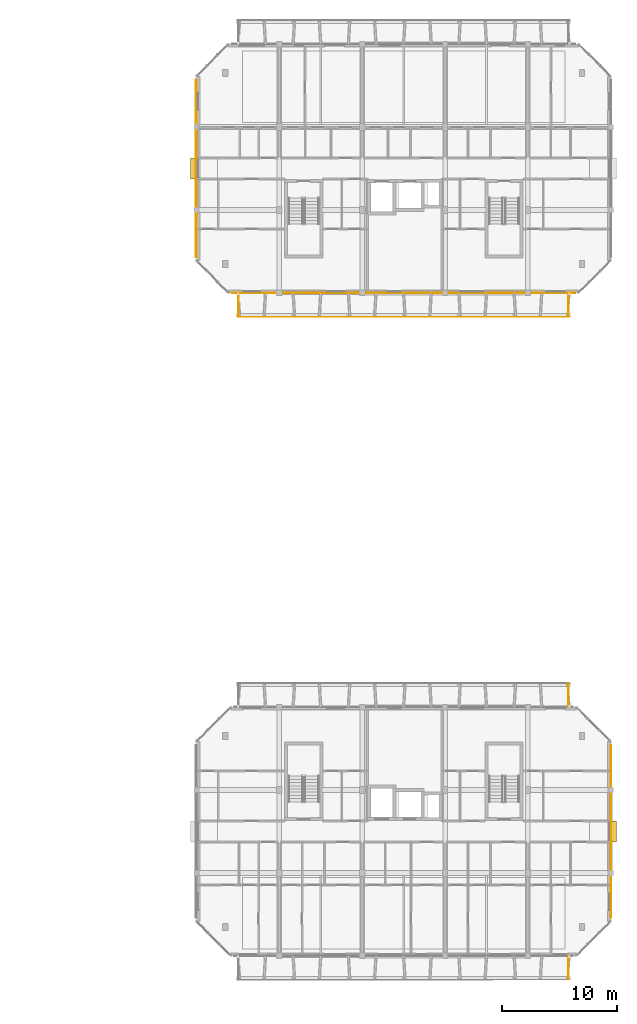
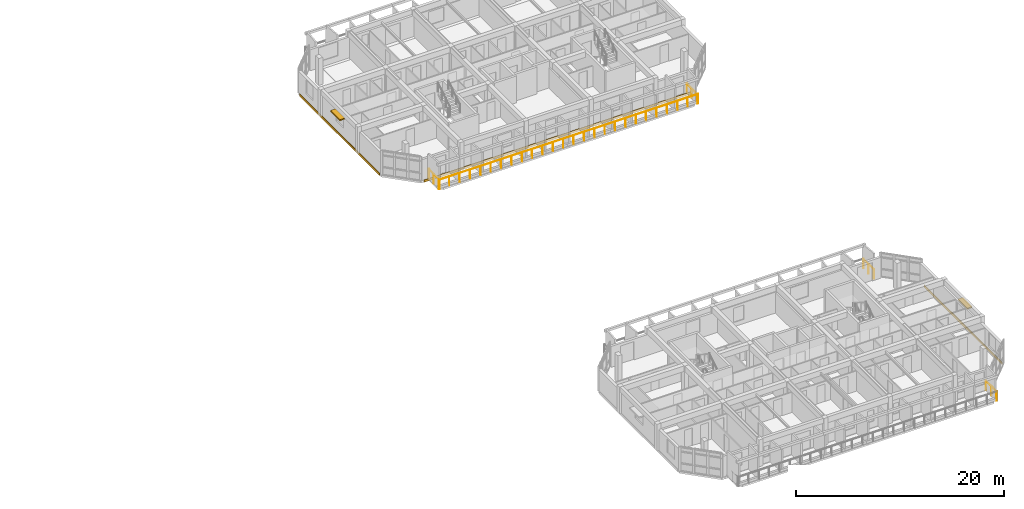
# One storey, part 29 of 31: 5 railings, 3 coverings, 2 shading devices.
"""IFC4 building model written with IfcOpenShell, lengths in metres."""

import ifcopenshell
import ifcopenshell.guid

model = None  # the IFC model being written
_history = None  # IfcOwnerHistory: only IFC2X3 demands one
_inside = {}  # id of a spatial element -> (the spatial element, [elements in it])
_under = {}  # id of a project, library or spatial element -> (it, [spatial elements below it])
_declared = {}  # id of a project -> (the project, [libraries it declares])
_typed = {}  # id of a type object -> (the type object, [elements of that type])
_made_of = {}  # id of a material, layer set ... -> (it, [elements and type objects made of it])


def new_model(schema):
    """Start an empty IFC model of exactly this schema.

    Asked for "IFC4X3", IfcOpenShell would pick the latest addendum, in which some entities
    have other attributes; the version numbers below select the first issue.
    IFC2X3 requires an IfcOwnerHistory on every rooted entity: one is made here for all.
    """
    global model, _history
    if schema == "IFC4X3":
        model = ifcopenshell.file(schema_version=(4, 3, 0, 0))
    else:
        model = ifcopenshell.file(schema=schema)
    _inside.clear()
    _under.clear()
    _declared.clear()
    _typed.clear()
    _made_of.clear()
    _history = None
    if model.schema == "IFC2X3":
        org = make("IfcOrganization", Name="unknown")
        user = make(
            "IfcPersonAndOrganization",
            ThePerson=make("IfcPerson", FamilyName="unknown"),
            TheOrganization=org,
        )
        app = make(
            "IfcApplication",
            ApplicationDeveloper=org,
            Version="unknown",
            ApplicationFullName="unknown",
            ApplicationIdentifier="unknown",
        )
        _history = make(
            "IfcOwnerHistory",
            OwningUser=user,
            OwningApplication=app,
            ChangeAction="ADDED",
            CreationDate=0,
        )
    return model


def make(cls, **values):
    """One entity of the class cls with the attributes given. An attribute that is None is left unset."""
    return model.create_entity(
        cls, **{name: value for name, value in values.items() if value is not None}
    )


def rooted(cls, **values):
    """An entity with a GlobalId (a new one), such as an element, a storey or a relation."""
    return make(cls, GlobalId=ifcopenshell.guid.new(), OwnerHistory=_history, **values)


def si_unit(unit_type, name, prefix=None):
    """IfcSIUnit, for example si_unit("LENGTHUNIT", "METRE", prefix="MILLI")."""
    return make("IfcSIUnit", UnitType=unit_type, Prefix=prefix, Name=name)


def assignment(units):
    """IfcUnitAssignment: the units of a project."""
    return None if units is None else make("IfcUnitAssignment", Units=units)


def point(xyz):
    """IfcCartesianPoint."""
    return None if xyz is None else make("IfcCartesianPoint", Coordinates=xyz)


def direction(xyz):
    """IfcDirection."""
    return None if xyz is None else make("IfcDirection", DirectionRatios=xyz)


def frame(location, z_axis=None, x_axis=None):
    """IfcAxis2Placement3D, a coordinate frame: its origin and axes. An axis left out is left unset."""
    return make(
        "IfcAxis2Placement3D",
        Location=point(location),
        Axis=direction(z_axis),
        RefDirection=direction(x_axis),
    )


def frame_2d(location, x_axis=None):
    """IfcAxis2Placement2D, a coordinate frame in the plane: its origin and x axis."""
    return make(
        "IfcAxis2Placement2D", Location=point(location), RefDirection=direction(x_axis)
    )


def origin():
    """The frame at (0, 0, 0) with its axes left unset."""
    return frame((0.0, 0.0, 0.0))


def origin_2d():
    """The frame at (0, 0) in the plane with its x axis left unset."""
    return frame_2d((0.0, 0.0))


def place(relative_to, where):
    """IfcLocalPlacement: puts the frame where relative to a parent placement (None: the world)."""
    return make(
        "IfcLocalPlacement", PlacementRelTo=relative_to, RelativePlacement=where
    )


def context(
    kind, dimensions, precision=None, world=None, true_north=None, identifier=None
):
    """IfcGeometricRepresentationContext, for example the 3D "Model" context."""
    return make(
        "IfcGeometricRepresentationContext",
        ContextIdentifier=identifier,
        ContextType=kind,
        CoordinateSpaceDimension=dimensions,
        Precision=precision,
        WorldCoordinateSystem=world,
        TrueNorth=true_north,
    )


def subcontext(parent, identifier, kind, view, scale=None):
    """IfcGeometricRepresentationSubContext, for example "Body" below "Model"."""
    return make(
        "IfcGeometricRepresentationSubContext",
        ContextIdentifier=identifier,
        ContextType=kind,
        ParentContext=parent,
        TargetScale=scale,
        TargetView=view,
    )


def project(units=None, contexts=None):
    """IfcProject with its units and contexts."""
    return rooted(
        "IfcProject",
        Name="project",
        RepresentationContexts=contexts,
        UnitsInContext=assignment(units),
    )


def spatial(cls, under=None, at=None, **own):
    """A site, building, storey or space (cls), placed at a placement, below another one or the project."""
    s = rooted(cls, ObjectPlacement=at, **own)
    if under is not None:
        _under.setdefault(under.id(), (under, []))[1].append(s)
    return s


def profile(cls, at=None, kind="AREA", **sizes):
    """A parametric profile (cls). Its sizes go by their IFC names, for example OverallWidth=200.0."""
    return make(cls, ProfileType=kind, Position=at, **sizes)


def rectangle(**sizes):
    """IfcRectangleProfileDef."""
    return profile("IfcRectangleProfileDef", **sizes)


def circle(**sizes):
    """IfcCircleProfileDef."""
    return profile("IfcCircleProfileDef", **sizes)


def extrude(swept, where, along, depth):
    """IfcExtrudedAreaSolid: the profile swept, set in the frame where, extruded along a direction by depth."""
    return make(
        "IfcExtrudedAreaSolid",
        SweptArea=swept,
        Position=where,
        ExtrudedDirection=direction(along),
        Depth=depth,
    )


def shape(context_of_items, identifier, shape_type, items):
    """IfcShapeRepresentation: the items that make up one representation, for example the "Body"."""
    return make(
        "IfcShapeRepresentation",
        ContextOfItems=context_of_items,
        RepresentationIdentifier=identifier,
        RepresentationType=shape_type,
        Items=items,
    )


def material(Name=None, Category=None):
    """IfcMaterial."""
    return make("IfcMaterial", Name=Name, Category=Category)


def layer(
    of_material, thickness, ventilated=None, Name=None, Category=None, Priority=None
):
    """IfcMaterialLayer: one layer of a wall or slab, of a material (None: an air gap)."""
    return make(
        "IfcMaterialLayer",
        Material=of_material,
        LayerThickness=thickness,
        IsVentilated=ventilated,
        Name=Name,
        Category=Category,
        Priority=Priority,
    )


def layer_set(layers, Name=None):
    """IfcMaterialLayerSet."""
    return make("IfcMaterialLayerSet", MaterialLayers=layers, LayerSetName=Name)


def made_of(thing, what):
    """Note that an element or type object is made of a material, layer set ...; save() writes the relation."""
    if what is not None:
        _made_of.setdefault(what.id(), (what, []))[1].append(thing)
    return thing


def type_object(cls, material=None, **own):
    """A type object (cls), such as IfcWallType, which elements share."""
    return made_of(rooted(cls, **own), material)


def element(
    cls,
    number,
    at=None,
    inside=None,
    cuts=None,
    type_object=None,
    material=None,
    context=None,
    identifier="Body",
    shape_type=None,
    held_by="IfcProductDefinitionShape",
    body=None,
    shapes=None,
    **own,
):
    """One element of the class cls, such as IfcWall. Its Tag is "e" and its number.

    at: its placement. inside: the storey or other place that contains it. cuts: it is an
    opening in that element (IfcRelVoidsElement). A single representation is given by context,
    identifier, shape_type and body (its items); several are given by shapes. held_by: the class
    of the entity that holds the representations. save() writes the other relations.
    """
    e = rooted(cls, Tag="e%d" % number, ObjectPlacement=at, **own)
    if body is not None:
        shapes = [shape(context, identifier, shape_type, body)]
    if shapes is not None:
        e.Representation = make(held_by, Representations=shapes)
    if inside is not None:
        _inside.setdefault(inside.id(), (inside, []))[1].append(e)
    if cuts is not None:
        rooted(
            "IfcRelVoidsElement", RelatingBuildingElement=cuts, RelatedOpeningElement=e
        )
    if type_object is not None:
        _typed.setdefault(type_object.id(), (type_object, []))[1].append(e)
    return made_of(e, material)


def aggregate(whole, parts):
    """IfcRelAggregates: a whole, such as a stair, and the parts it consists of."""
    return rooted("IfcRelAggregates", RelatingObject=whole, RelatedObjects=parts)


def save(model, path):
    """Write the relations noted so far, then the file.

    IfcRelAggregates (storeys below a building ...), IfcRelContainedInSpatialStructure (elements
    in a storey), IfcRelDefinesByType, IfcRelAssociatesMaterial and IfcRelDeclares: one each for
    every whole, place, type object, material and project.
    """
    for whole, parts in _under.values():
        aggregate(whole, parts)
    for where, things in _inside.values():
        rooted(
            "IfcRelContainedInSpatialStructure",
            RelatedElements=things,
            RelatingStructure=where,
        )
    for kind, things in _typed.values():
        rooted("IfcRelDefinesByType", RelatedObjects=things, RelatingType=kind)
    for what, things in _made_of.values():
        rooted("IfcRelAssociatesMaterial", RelatedObjects=things, RelatingMaterial=what)
    for by, libraries in _declared.values():
        rooted("IfcRelDeclares", RelatingContext=by, RelatedDefinitions=libraries)
    model.write(path)


model = new_model("IFC4")

# Units and contexts
model_context = context("Model", 3, precision=1e-05, world=origin(), true_north=direction((0.0, 1.0)))
body_context = subcontext(model_context, "Body", "Model", "MODEL_VIEW")
ifc_project = project(units=[si_unit("LENGTHUNIT", "METRE"), si_unit("AREAUNIT", "SQUARE_METRE"), si_unit("VOLUMEUNIT", "CUBIC_METRE"), si_unit("PLANEANGLEUNIT", "RADIAN"), si_unit("MASSUNIT", "GRAM", prefix="KILO")], contexts=[model_context])

# Site, building, storey
site_placement = place(None, origin())
site = spatial("IfcSite", under=ifc_project, at=site_placement, CompositionType="ELEMENT")
building_placement = place(site_placement, origin())
building = spatial("IfcBuilding", under=site, at=building_placement, Name="Ochrevale Crest", CompositionType="ELEMENT")
storey_placement = place(building_placement, frame((0.0, 0.0, 37.050048828125)))
storey = spatial("IfcBuildingStorey", under=building, at=storey_placement, Name="L11", CompositionType="ELEMENT", Elevation=37.050048828125)

# Coverings
ifc_material_1 = material(Name="Glazed terracotta rainscreen tile", Category="masonry")
ifc_layer = layer(ifc_material_1, 0.048095703125)
ifc_layer_set = layer_set([ifc_layer], Name="Glazed terracotta rainscreen tile")
covering_type = type_object("IfcCoveringType", Name="COV-CLAD-TER", PredefinedType="CLADDING", material=ifc_layer_set)
covering_1_placement = place(storey_placement, frame((165.614501953125, 25.199951171875, -0.26025390625), z_axis=(0.0, 0.0, 1.0), x_axis=(0.0, 1.0, 0.0)))
element("IfcCovering", 1, at=covering_1_placement, inside=storey, type_object=covering_type, Name="Block C L11 terracotta slab-edge spandrel cladding", PredefinedType="CLADDING", context=body_context, shape_type="SweptSolid", body=[
    extrude(rectangle(XDim=15.0, YDim=0.06005859375, at=origin_2d()), origin(), (0.0, 0.0, 1.0), 0.280029296875),
])
covering_2_placement = place(storey_placement, frame((147.60009765625, 71.987548828125, -0.26025390625), z_axis=(0.0, 0.0, 1.0), x_axis=(1.0, 0.0, 0.0)))
element("IfcCovering", 2, at=covering_2_placement, inside=storey, type_object=covering_type, Name="Block D L11 terracotta slab-edge spandrel cladding", PredefinedType="CLADDING", context=body_context, shape_type="SweptSolid", body=[
    extrude(rectangle(XDim=29.800048828125, YDim=0.06005859375, at=origin_2d()), origin(), (0.0, 0.0, 1.0), 0.280029296875),
])
covering_3_placement = place(storey_placement, frame((129.58544921875, 82.800048828125, -0.26025390625), z_axis=(0.0, 0.0, 1.0), x_axis=(0.0, -1.0, 0.0)))
element("IfcCovering", 3, at=covering_3_placement, inside=storey, type_object=covering_type, Name="Block D L11 terracotta slab-edge spandrel cladding", PredefinedType="CLADDING", context=body_context, shape_type="SweptSolid", body=[
    extrude(rectangle(XDim=15.39990234375, YDim=0.06005859375, at=origin_2d()), origin(), (0.0, 0.0, 1.0), 0.280029296875),
])

# Railings
ifc_material_2 = material(Name="Galvanised steel", Category="steel")
railing_type = type_object("IfcRailingType", Name="RL-BAL-1100", PredefinedType="BALUSTRADE", material=ifc_material_2)
railing_1_placement = place(storey_placement, frame((161.93994140625, 14.39990234375, 0.0)))
element("IfcRailing", 4, at=railing_1_placement, inside=storey, type_object=railing_type, Name="Block C L11 S-E balcony side guard", PredefinedType="BALUSTRADE", context=body_context, shape_type="SweptSolid", body=[
    extrude(circle(Radius=0.02392578125, at=origin_2d()), frame((0.0, 0.0, 1.0859375), z_axis=(0.0, -1.0, 0.0), x_axis=(1.0, 0.0, 0.0)), (0.0, 0.0, 1.0), 2.039794921875),
    extrude(circle(Radius=0.02099609375, at=origin_2d()), origin(), (0.0, 0.0, 1.0), 1.06201171875),
    extrude(circle(Radius=0.02099609375, at=origin_2d()), frame((0.0, -1.02001953125, 0.0)), (0.0, 0.0, 1.0), 1.06201171875),
    extrude(circle(Radius=0.02099609375, at=origin_2d()), frame((0.0, -2.039794921875, 0.0)), (0.0, 0.0, 1.0), 1.06201171875),
])
railing_2_placement = place(storey_placement, frame((161.93994140625, 36.0, 0.0)))
element("IfcRailing", 5, at=railing_2_placement, inside=storey, type_object=railing_type, Name="Block C L11 N-E balcony side guard", PredefinedType="BALUSTRADE", context=body_context, shape_type="SweptSolid", body=[
    extrude(circle(Radius=0.02392578125, at=origin_2d()), frame((0.0, 0.0, 1.0859375), z_axis=(0.0, 1.0, 0.0), x_axis=(-1.0, 0.0, 0.0)), (0.0, 0.0, 1.0), 2.0400390625),
    extrude(circle(Radius=0.02099609375, at=origin_2d()), origin(), (0.0, 0.0, 1.0), 1.06201171875),
    extrude(circle(Radius=0.02099609375, at=origin_2d()), frame((0.0, 1.02001953125, 0.0)), (0.0, 0.0, 1.0), 1.06201171875),
    extrude(circle(Radius=0.02099609375, at=origin_2d()), frame((0.0, 2.0400390625, 0.0)), (0.0, 0.0, 1.0), 1.06201171875),
])
railing_3_placement = place(storey_placement, frame((133.199951171875, 69.9599609375, 0.0)))
element("IfcRailing", 6, at=railing_3_placement, inside=storey, type_object=railing_type, Name="Block D L11 S balcony front balustrade", PredefinedType="BALUSTRADE", context=body_context, shape_type="SweptSolid", body=[
    extrude(circle(Radius=0.02392578125, at=origin_2d()), frame((0.0, 0.0, 1.0859375), z_axis=(1.0, 0.0, 0.0), x_axis=(0.0, 1.0, 0.0)), (0.0, 0.0, 1.0), 28.800048828125),
    extrude(circle(Radius=0.02099609375, at=origin_2d()), origin(), (0.0, 0.0, 1.0), 1.06201171875),
    extrude(circle(Radius=0.02099609375, at=origin_2d()), frame((1.152099609375, 0.0, 0.0)), (0.0, 0.0, 1.0), 1.06201171875),
    extrude(circle(Radius=0.02099609375, at=origin_2d()), frame((2.303955078125, 0.0, 0.0)), (0.0, 0.0, 1.0), 1.06201171875),
    extrude(circle(Radius=0.02099609375, at=origin_2d()), frame((3.4560546875, 0.0, 0.0)), (0.0, 0.0, 1.0), 1.06201171875),
    extrude(circle(Radius=0.02099609375, at=origin_2d()), frame((4.60791015625, 0.0, 0.0)), (0.0, 0.0, 1.0), 1.06201171875),
    extrude(circle(Radius=0.02099609375, at=origin_2d()), frame((5.760009765625, 0.0, 0.0)), (0.0, 0.0, 1.0), 1.06201171875),
    extrude(circle(Radius=0.02099609375, at=origin_2d()), frame((6.912109375, 0.0, 0.0)), (0.0, 0.0, 1.0), 1.06201171875),
    extrude(circle(Radius=0.02099609375, at=origin_2d()), frame((8.06396484375, 0.0, 0.0)), (0.0, 0.0, 1.0), 1.06201171875),
    extrude(circle(Radius=0.02099609375, at=origin_2d()), frame((9.216064453125, 0.0, 0.0)), (0.0, 0.0, 1.0), 1.06201171875),
    extrude(circle(Radius=0.02099609375, at=origin_2d()), frame((10.367919921875, 0.0, 0.0)), (0.0, 0.0, 1.0), 1.06201171875),
    extrude(circle(Radius=0.02099609375, at=origin_2d()), frame((11.52001953125, 0.0, 0.0)), (0.0, 0.0, 1.0), 1.06201171875),
    extrude(circle(Radius=0.02099609375, at=origin_2d()), frame((12.672119140625, 0.0, 0.0)), (0.0, 0.0, 1.0), 1.06201171875),
    extrude(circle(Radius=0.02099609375, at=origin_2d()), frame((13.823974609375, 0.0, 0.0)), (0.0, 0.0, 1.0), 1.06201171875),
    extrude(circle(Radius=0.02099609375, at=origin_2d()), frame((14.97607421875, 0.0, 0.0)), (0.0, 0.0, 1.0), 1.06201171875),
    extrude(circle(Radius=0.02099609375, at=origin_2d()), frame((16.1279296875, 0.0, 0.0)), (0.0, 0.0, 1.0), 1.06201171875),
    extrude(circle(Radius=0.02099609375, at=origin_2d()), frame((17.280029296875, 0.0, 0.0)), (0.0, 0.0, 1.0), 1.06201171875),
    extrude(circle(Radius=0.02099609375, at=origin_2d()), frame((18.43212890625, 0.0, 0.0)), (0.0, 0.0, 1.0), 1.06201171875),
    extrude(circle(Radius=0.02099609375, at=origin_2d()), frame((19.583984375, 0.0, 0.0)), (0.0, 0.0, 1.0), 1.06201171875),
    extrude(circle(Radius=0.02099609375, at=origin_2d()), frame((20.736083984375, 0.0, 0.0)), (0.0, 0.0, 1.0), 1.06201171875),
    extrude(circle(Radius=0.02099609375, at=origin_2d()), frame((21.887939453125, 0.0, 0.0)), (0.0, 0.0, 1.0), 1.06201171875),
    extrude(circle(Radius=0.02099609375, at=origin_2d()), frame((23.0400390625, 0.0, 0.0)), (0.0, 0.0, 1.0), 1.06201171875),
    extrude(circle(Radius=0.02099609375, at=origin_2d()), frame((24.192138671875, 0.0, 0.0)), (0.0, 0.0, 1.0), 1.06201171875),
    extrude(circle(Radius=0.02099609375, at=origin_2d()), frame((25.343994140625, 0.0, 0.0)), (0.0, 0.0, 1.0), 1.06201171875),
    extrude(circle(Radius=0.02099609375, at=origin_2d()), frame((26.49609375, 0.0, 0.0)), (0.0, 0.0, 1.0), 1.06201171875),
    extrude(circle(Radius=0.02099609375, at=origin_2d()), frame((27.64794921875, 0.0, 0.0)), (0.0, 0.0, 1.0), 1.06201171875),
    extrude(circle(Radius=0.02099609375, at=origin_2d()), frame((28.800048828125, 0.0, 0.0)), (0.0, 0.0, 1.0), 1.06201171875),
])
for number, where, name in (
    (7, (133.260009765625, 72.0, 0.0), "Block D L11 S-W balcony side guard"),
    (8, (161.93994140625, 72.0, 0.0), "Block D L11 S-E balcony side guard"),
):
    element("IfcRailing", number, at=place(storey_placement, frame(where)), inside=storey, type_object=railing_type, Name=name, PredefinedType="BALUSTRADE", context=body_context, shape_type="SweptSolid", body=[
        extrude(circle(Radius=0.02392578125, at=origin_2d()), frame((0.0, 0.0, 1.0859375), z_axis=(0.0, -1.0, 0.0), x_axis=(1.0, 0.0, 0.0)), (0.0, 0.0, 1.0), 2.0400390625),
        extrude(circle(Radius=0.02099609375, at=origin_2d()), origin(), (0.0, 0.0, 1.0), 1.06201171875),
        extrude(circle(Radius=0.02099609375, at=origin_2d()), frame((0.0, -1.02001953125, 0.0)), (0.0, 0.0, 1.0), 1.06201171875),
        extrude(circle(Radius=0.02099609375, at=origin_2d()), frame((0.0, -2.0400390625, 0.0)), (0.0, 0.0, 1.0), 1.06201171875),
    ])

# Shading devices
ifc_material_3 = material(Name="Anodised aluminium 6063-T5", Category="aluminium")
shading_device_type = type_object("IfcShadingDeviceType", Name="SHD-SUNSHADE-OC", PredefinedType="USERDEFINED", material=ifc_material_3)
for number, where, z_axis, x_axis, name in (
    (9, (165.840087890625, 25.199951171875, 2.2099609375), (0.0, 0.0, 1.0), (1.0, 0.0, 0.0), "Block C L11 gable window sunshade E"),
    (10, (129.360107421875, 82.800048828125, 2.2099609375), (0.0, 0.0, 1.0), (1.0, 0.0, 0.0), "Block D L11 gable window sunshade W"),
):
    element("IfcShadingDevice", number, at=place(storey_placement, frame(where, z_axis=z_axis, x_axis=x_axis)), inside=storey, type_object=shading_device_type, Name=name, ObjectType="HORIZONTAL SUNSHADE", PredefinedType="USERDEFINED", context=body_context, shape_type="SweptSolid", body=[
        extrude(rectangle(XDim=0.550048828125, YDim=1.800048828125, at=origin_2d()), origin(), (0.0, 0.0, 1.0), 0.139892578125),
    ])

save(model, "model.ifc")
